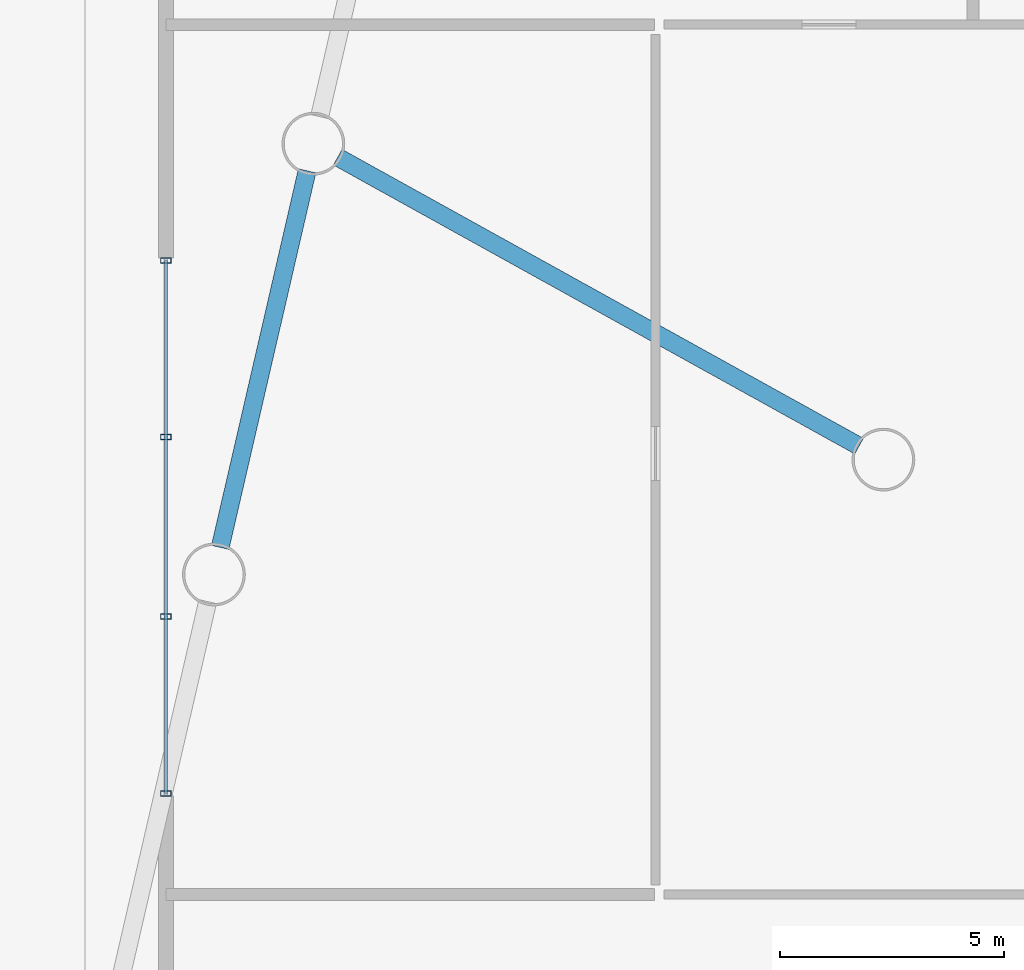
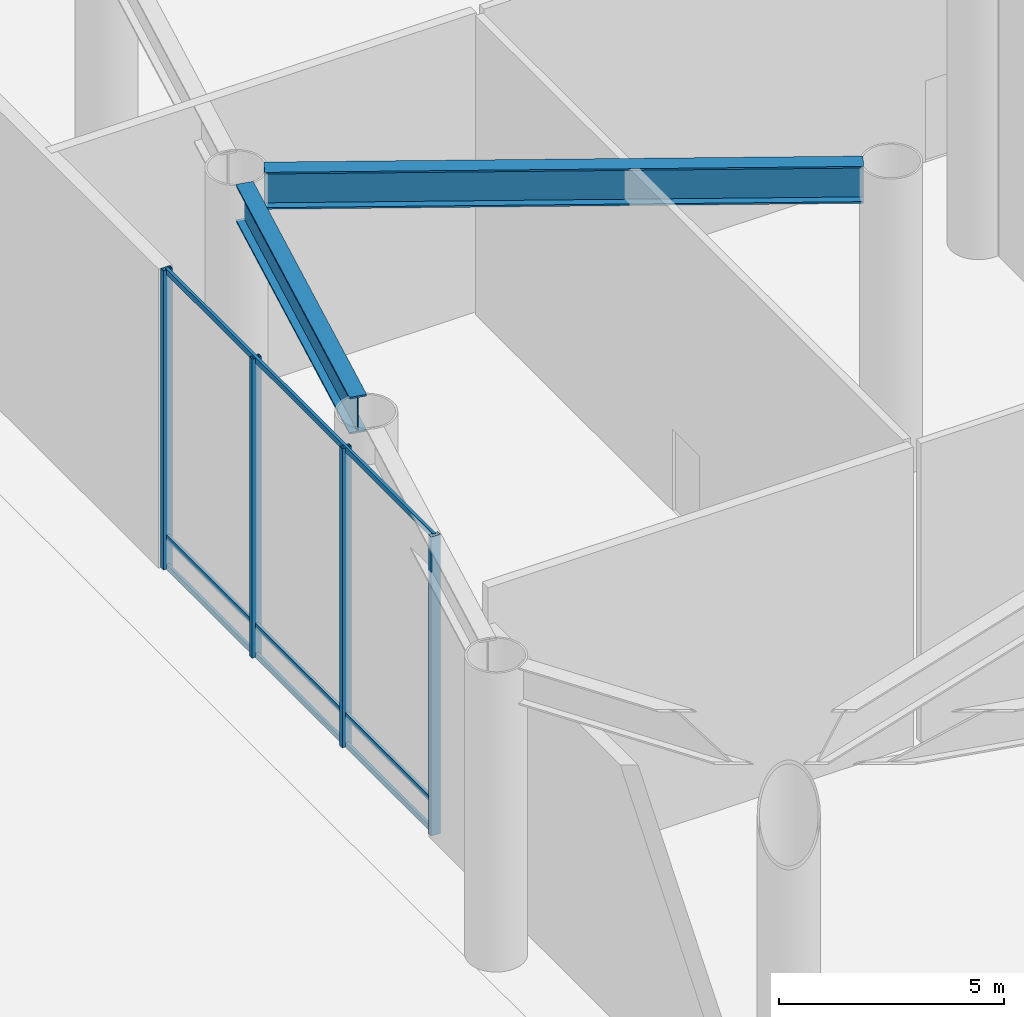
# One storey, part 13 of 28: 7 members, 2 beams, 1 element without a shape of its own.
"""IFC4 building model written with IfcOpenShell, lengths in metres."""

from ifc_helpers import new_model, si_unit, direction, frame, origin, origin_2d, place, context, subcontext, project, spatial, hollow_rectangle, i_section, extrude, material, layer, layer_set, material_profile, profile_set, type_object, element, aggregate, save


model = new_model("IFC4")

# Units and contexts
model_context = context("Model", 3, precision=1e-05, world=origin(), true_north=direction((0.0, 1.0)))
body_context = subcontext(model_context, "Body", "Model", "MODEL_VIEW")
ifc_project = project(units=[si_unit("LENGTHUNIT", "METRE"), si_unit("AREAUNIT", "SQUARE_METRE"), si_unit("VOLUMEUNIT", "CUBIC_METRE"), si_unit("PLANEANGLEUNIT", "RADIAN"), si_unit("MASSUNIT", "GRAM", prefix="KILO")], contexts=[model_context])

# Site, building, storey
site_placement = place(None, origin())
site = spatial("IfcSite", under=ifc_project, at=site_placement, CompositionType="ELEMENT")
building_placement = place(site_placement, origin())
building = spatial("IfcBuilding", under=site, at=building_placement, Name="Tavrogorsk Clinical Tower", CompositionType="ELEMENT")
storey_placement = place(building_placement, origin())
storey = spatial("IfcBuildingStorey", under=building, at=storey_placement, Name="L00", CompositionType="ELEMENT", Elevation=0.0)

# Curtain wall, members
ifc_material_1 = material(Name="Anodised aluminium and triple IGU glazing", Category="aluminium")
ifc_layer = layer(ifc_material_1, 0.179931640625)
ifc_layer_set = layer_set([ifc_layer], Name="Anodised aluminium and triple IGU glazing")
curtain_wall_type = type_object("IfcCurtainWallType", Name="CW1_LobbyStick", PredefinedType="NOTDEFINED", material=ifc_layer_set)
curtain_wall_placement = place(storey_placement, origin())
curtain_wall = element("IfcCurtainWall", 1, at=curtain_wall_placement, inside=storey, type_object=curtain_wall_type, Name="L00 Curtain Wall CW-L00-W1", PredefinedType="NOTDEFINED")
ifc_material_2 = material(Name="Anodised aluminium alloy AW-6060", Category="aluminium")
ifc_material_profile_1 = material_profile(ifc_material_2, hollow_rectangle(XDim=0.1201171875, YDim=0.239990234375, WallThickness=0.008056640625, at=origin_2d()), Name="RHS-240x120x8")
ifc_profile_set_1 = profile_set([ifc_material_profile_1], Name="Anodised aluminium alloy AW-6060")
member_type_1 = type_object("IfcMemberType", Name="CwMullion_240x120", PredefinedType="MULLION", material=ifc_profile_set_1)
member_1_placement = place(storey_placement, frame((-44.0, 4.444091796875, 0.0), z_axis=(0.0, 0.0, 1.0), x_axis=(0.0, -1.0, 0.0)))
member_1 = element("IfcMember", 2, at=member_1_placement, type_object=member_type_1, Name="CW-L00-W1 Mullion 1", PredefinedType="MULLION", context=body_context, shape_type="SweptSolid", body=[
    extrude(hollow_rectangle(XDim=0.1201171875, YDim=0.239990234375, WallThickness=0.008056640625, at=origin_2d()), origin(), (0.0, 0.0, 1.0), 8.10009765625),
])
member_2_placement = place(storey_placement, frame((-44.0, 0.501220703125, 0.0), z_axis=(0.0, 0.0, 1.0), x_axis=(0.0, -1.0, 0.0)))
member_2 = element("IfcMember", 3, at=member_2_placement, type_object=member_type_1, Name="CW-L00-W1 Mullion 2", PredefinedType="MULLION", context=body_context, shape_type="SweptSolid", body=[
    extrude(hollow_rectangle(XDim=0.1201171875, YDim=0.239990234375, WallThickness=0.008056640625, at=origin_2d()), origin(), (0.0, 0.0, 1.0), 8.10009765625),
])
member_3_placement = place(storey_placement, frame((-44.0, -3.501220703125, 0.0), z_axis=(0.0, 0.0, 1.0), x_axis=(0.0, -1.0, 0.0)))
member_3 = element("IfcMember", 4, at=member_3_placement, type_object=member_type_1, Name="CW-L00-W1 Mullion 3", PredefinedType="MULLION", context=body_context, shape_type="SweptSolid", body=[
    extrude(hollow_rectangle(XDim=0.1201171875, YDim=0.239990234375, WallThickness=0.008056640625, at=origin_2d()), origin(), (0.0, 0.0, 1.0), 8.10009765625),
])
member_4_placement = place(storey_placement, frame((-44.0, -7.444091796875, 0.0), z_axis=(0.0, 0.0, 1.0), x_axis=(0.0, -1.0, 0.0)))
member_4 = element("IfcMember", 5, at=member_4_placement, type_object=member_type_1, Name="CW-L00-W1 Mullion 4", PredefinedType="MULLION", context=body_context, shape_type="SweptSolid", body=[
    extrude(hollow_rectangle(XDim=0.1201171875, YDim=0.239990234375, WallThickness=0.008056640625, at=origin_2d()), origin(), (0.0, 0.0, 1.0), 8.10009765625),
])
ifc_material_3 = material(Name="Anodised aluminium alloy AW-6060", Category="aluminium")
ifc_material_profile_2 = material_profile(ifc_material_3, hollow_rectangle(XDim=0.074951171875, YDim=0.14990234375, WallThickness=0.0048828125, at=origin_2d()), Name="RHS-150x75x5")
ifc_profile_set_2 = profile_set([ifc_material_profile_2], Name="Anodised aluminium alloy AW-6060")
member_type_2 = type_object("IfcMemberType", Name="CwTransom_150x75", PredefinedType="USERDEFINED", material=ifc_profile_set_2)
member_5_placement = place(storey_placement, frame((-44.0, 4.444091796875, 0.050048828125), z_axis=(0.0, -1.0, 0.0), x_axis=(1.0, 0.0, 0.0)))
member_5 = element("IfcMember", 6, at=member_5_placement, type_object=member_type_2, Name="CW-L00-W1 Transom 1", ObjectType="TRANSOM", PredefinedType="USERDEFINED", context=body_context, shape_type="SweptSolid", body=[
    extrude(hollow_rectangle(XDim=0.074951171875, YDim=0.14990234375, WallThickness=0.0048828125, at=origin_2d()), origin(), (0.0, 0.0, 1.0), 11.88818359375),
])
member_6_placement = place(storey_placement, frame((-44.0, 4.444091796875, 0.85009765625), z_axis=(0.0, -1.0, 0.0), x_axis=(1.0, 0.0, 0.0)))
member_6 = element("IfcMember", 7, at=member_6_placement, type_object=member_type_2, Name="CW-L00-W1 Transom 2", ObjectType="TRANSOM", PredefinedType="USERDEFINED", context=body_context, shape_type="SweptSolid", body=[
    extrude(hollow_rectangle(XDim=0.074951171875, YDim=0.14990234375, WallThickness=0.0048828125, at=origin_2d()), origin(), (0.0, 0.0, 1.0), 11.88818359375),
])
member_7_placement = place(storey_placement, frame((-44.0, 4.444091796875, 8.050048828125), z_axis=(0.0, -1.0, 0.0), x_axis=(1.0, 0.0, 0.0)))
member_7 = element("IfcMember", 8, at=member_7_placement, type_object=member_type_2, Name="CW-L00-W1 Transom 3", ObjectType="TRANSOM", PredefinedType="USERDEFINED", context=body_context, shape_type="SweptSolid", body=[
    extrude(hollow_rectangle(XDim=0.074951171875, YDim=0.14990234375, WallThickness=0.0048828125, at=origin_2d()), origin(), (0.0, 0.0, 1.0), 11.88818359375),
])
aggregate(curtain_wall, [member_1, member_2, member_3, member_4, member_5, member_6, member_7])

# Beams
ifc_material_4 = material(Name="Structural steel S440", Category="steel")
ifc_material_profile_3 = material_profile(ifc_material_4, i_section(OverallWidth=0.39990234375, OverallDepth=1.0, WebThickness=0.028076171875, FlangeThickness=0.044921875, at=origin_2d()), Name="DK-1000x400x28x45")
ifc_profile_set_3 = profile_set([ifc_material_profile_3], Name="Structural steel S440")
beam_type = type_object("IfcBeamType", Name="TransferGirder_DK1000", PredefinedType="USERDEFINED", material=ifc_profile_set_3)
beam_1_placement = place(storey_placement, frame((-40.8515625, 6.44091796875, 7.60009765625), z_axis=(-0.224969137342, -0.974365889819, 0.0), x_axis=(0.974365889819, -0.224969137342, 0.0)))
element("IfcBeam", 9, at=beam_1_placement, inside=storey, type_object=beam_type, Name="L00 Perimeter Stilt Ring Girder W3-W4", ObjectType="GIRDER", PredefinedType="USERDEFINED", context=body_context, shape_type="SweptSolid", body=[
    extrude(i_section(OverallWidth=0.39990234375, OverallDepth=1.0, WebThickness=0.028076171875, FlangeThickness=0.044921875, at=origin_2d()), origin(), (0.0, 0.0, 1.0), 8.619873046875),
])
beam_2_placement = place(storey_placement, frame((-28.542236328125, 0.300537109375, 7.60009765625), z_axis=(-0.874659240881, 0.484738292629, 0.0), x_axis=(-0.484738292629, -0.874659240881, 0.0)))
element("IfcBeam", 10, at=beam_2_placement, inside=storey, type_object=beam_type, Name="L00 Radial Podium Girder W3", ObjectType="GIRDER", PredefinedType="USERDEFINED", context=body_context, shape_type="SweptSolid", body=[
    extrude(i_section(OverallWidth=0.39990234375, OverallDepth=1.0, WebThickness=0.028076171875, FlangeThickness=0.044921875, at=origin_2d()), origin(), (0.0, 0.0, 1.0), 13.2939453125),
])

save(model, "model.ifc")
